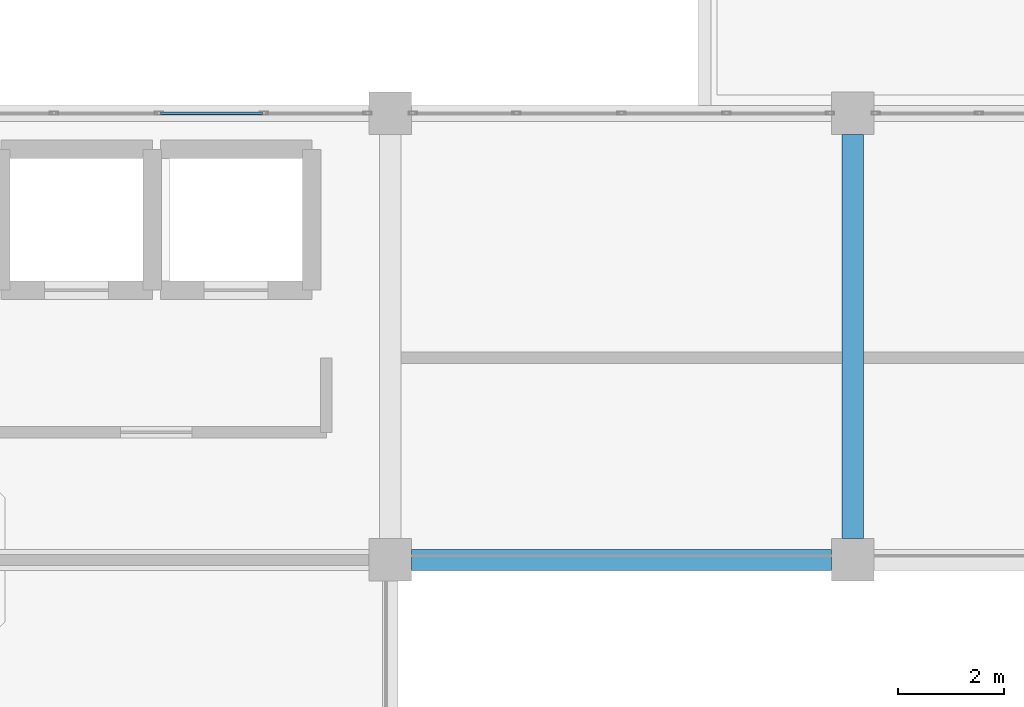
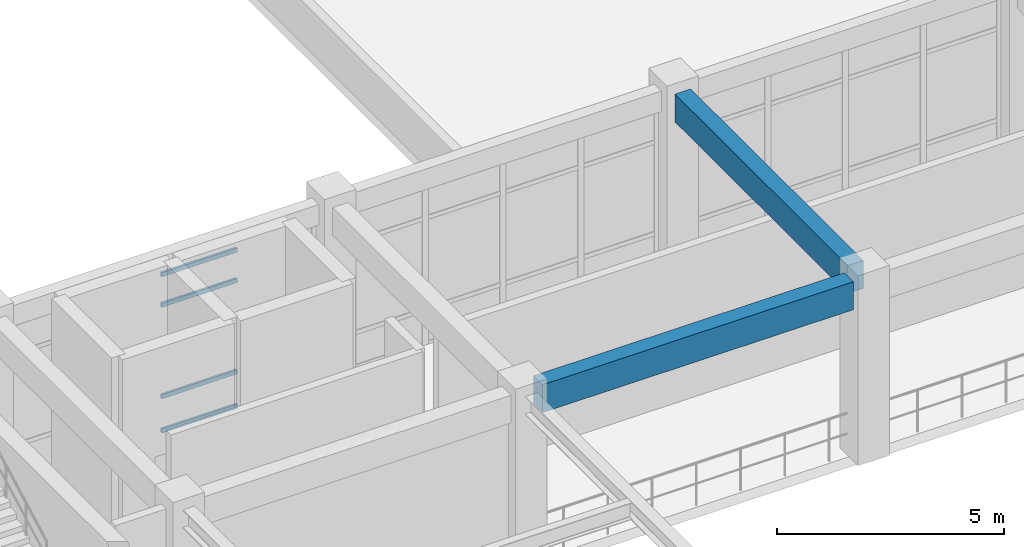
# One storey, part 48 of 124: 4 members, 2 beams, 1 element without a shape of its own.
"""IFC4 building model written with IfcOpenShell, lengths in metres."""

from ifc_helpers import new_model, si_unit, derived_unit, direction, frame, origin, origin_2d, place, context, subcontext, project, spatial, rectangle, hollow_rectangle, extrude, material, layer, layer_set, material_profile, profile_set, type_object, element, aggregate, save


model = new_model("IFC4")

# Units and contexts
model_context = context("Model", 3, precision=1e-05, world=origin(), true_north=direction((0.0, 1.0)))
body_context = subcontext(model_context, "Body", "Model", "MODEL_VIEW")
ifc_project = project(units=[si_unit("LENGTHUNIT", "METRE"), si_unit("AREAUNIT", "SQUARE_METRE"), si_unit("VOLUMEUNIT", "CUBIC_METRE"), si_unit("PLANEANGLEUNIT", "RADIAN"), si_unit("MASSUNIT", "GRAM", prefix="KILO"), derived_unit("THERMALTRANSMITTANCEUNIT", [(si_unit("MASSUNIT", "GRAM", prefix="KILO"), 1), (si_unit("TIMEUNIT", "SECOND"), -3), (si_unit("THERMODYNAMICTEMPERATUREUNIT", "KELVIN"), -1)])], contexts=[model_context])

# Site, building, storey
site_placement = place(None, origin())
site = spatial("IfcSite", under=ifc_project, at=site_placement, CompositionType="ELEMENT")
building_placement = place(site_placement, origin())
building = spatial("IfcBuilding", under=site, at=building_placement, Name="Qinzheling Arcade Emporium", CompositionType="ELEMENT")
storey_placement = place(building_placement, frame((0.0, 0.0, 16.5)))
storey = spatial("IfcBuildingStorey", under=building, at=storey_placement, Name="L04", CompositionType="ELEMENT", Elevation=16.5)

# Curtain wall, members
ifc_material_1 = material(Name="Anodised aluminium and solar-control double glazing", Category="aluminium")
ifc_layer = layer(ifc_material_1, 0.159912109375, Name="Anodised aluminium and solar-control double glazing", Category="aluminium")
ifc_layer_set = layer_set([ifc_layer], Name="Anodised aluminium and solar-control double glazing")
curtain_wall_type = type_object("IfcCurtainWallType", Name="Atrium Clerestory Curtain Wall", PredefinedType="NOTDEFINED", material=ifc_layer_set)
curtain_wall_placement = place(storey_placement, origin())
curtain_wall = element("IfcCurtainWall", 1, at=curtain_wall_placement, inside=storey, type_object=curtain_wall_type, Name="Curtain Wall CW-L04-243", PredefinedType="NOTDEFINED")
ifc_material_2 = material(Name="Anodised aluminium 6063-T6", Category="aluminium")
ifc_material_profile_1 = material_profile(ifc_material_2, hollow_rectangle(XDim=0.06005859375, YDim=0.1201171875, WallThickness=0.00390625, InnerFilletRadius=0.00390625, OuterFilletRadius=0.008056640625, at=origin_2d()), Name="RHS 120x60x4", Category="aluminium")
ifc_profile_set_1 = profile_set([ifc_material_profile_1], Name="Anodised aluminium 6063-T6")
member_type = type_object("IfcMemberType", Name="Curtain Wall Transom RHS120x60", PredefinedType="USERDEFINED", material=ifc_profile_set_1)
member_1_placement = place(storey_placement, frame((47.8798828125, 73.800048828125, 0.030029296875), z_axis=(1.0, 0.0, 0.0), x_axis=(0.0, 1.0, 0.0)))
member_1 = element("IfcMember", 2, at=member_1_placement, type_object=member_type, Name="CW03 transom 3.1", ObjectType="TRANSOM", PredefinedType="USERDEFINED", context=body_context, shape_type="SweptSolid", body=[
    extrude(hollow_rectangle(XDim=0.06005859375, YDim=0.1201171875, WallThickness=0.00390625, InnerFilletRadius=0.00390625, OuterFilletRadius=0.008056640625, at=origin_2d()), origin(), (0.0, 0.0, 1.0), 1.9140625),
])
member_2_placement = place(storey_placement, frame((47.8798828125, 73.800048828125, 0.949951171875), z_axis=(1.0, 0.0, 0.0), x_axis=(0.0, 1.0, 0.0)))
member_2 = element("IfcMember", 3, at=member_2_placement, type_object=member_type, Name="CW03 transom 3.2", ObjectType="TRANSOM", PredefinedType="USERDEFINED", context=body_context, shape_type="SweptSolid", body=[
    extrude(hollow_rectangle(XDim=0.06005859375, YDim=0.1201171875, WallThickness=0.00390625, InnerFilletRadius=0.00390625, OuterFilletRadius=0.008056640625, at=origin_2d()), origin(), (0.0, 0.0, 1.0), 1.9140625),
])
member_3_placement = place(storey_placement, frame((47.8798828125, 73.800048828125, 3.405029296875), z_axis=(1.0, 0.0, 0.0), x_axis=(0.0, 1.0, 0.0)))
member_3 = element("IfcMember", 4, at=member_3_placement, type_object=member_type, Name="CW03 transom 3.3", ObjectType="TRANSOM", PredefinedType="USERDEFINED", context=body_context, shape_type="SweptSolid", body=[
    extrude(hollow_rectangle(XDim=0.06005859375, YDim=0.1201171875, WallThickness=0.00390625, InnerFilletRadius=0.00390625, OuterFilletRadius=0.008056640625, at=origin_2d()), origin(), (0.0, 0.0, 1.0), 1.9140625),
])
member_4_placement = place(storey_placement, frame((47.8798828125, 73.800048828125, 4.22509765625), z_axis=(1.0, 0.0, 0.0), x_axis=(0.0, 1.0, 0.0)))
member_4 = element("IfcMember", 5, at=member_4_placement, type_object=member_type, Name="CW03 transom 3.4", ObjectType="TRANSOM", PredefinedType="USERDEFINED", context=body_context, shape_type="SweptSolid", body=[
    extrude(hollow_rectangle(XDim=0.06005859375, YDim=0.1201171875, WallThickness=0.00390625, InnerFilletRadius=0.00390625, OuterFilletRadius=0.008056640625, at=origin_2d()), origin(), (0.0, 0.0, 1.0), 1.9140625),
])
aggregate(curtain_wall, [member_1, member_2, member_3, member_4])

# Beams
ifc_material_3 = material(Name="Concrete C40", Category="concrete")
ifc_material_profile_2 = material_profile(ifc_material_3, rectangle(XDim=0.39990234375, YDim=0.75, at=origin_2d()), Name="RC 400x750", Category="concrete")
ifc_profile_set_2 = profile_set([ifc_material_profile_2], Name="Concrete C40")
beam_type = type_object("IfcBeamType", Name="RC Interior Tie Beam 400x750 C40", PredefinedType="BEAM", material=ifc_profile_set_2)
beam_1_placement = place(storey_placement, frame((52.60009765625, 65.39990234375, 4.445068359375), z_axis=(1.0, 0.0, 0.0), x_axis=(0.0, 1.0, 0.0)))
element("IfcBeam", 6, at=beam_1_placement, inside=storey, type_object=beam_type, Name="Beam BM-L04-X-H-7", PredefinedType="BEAM", context=body_context, shape_type="SweptSolid", body=[
    extrude(rectangle(XDim=0.39990234375, YDim=0.75, at=origin_2d()), origin(), (0.0, 0.0, 1.0), 7.89990234375),
])
beam_2_placement = place(storey_placement, frame((60.89990234375, 65.800048828125, 4.445068359375), z_axis=(0.0, 1.0, 0.0), x_axis=(-1.0, 0.0, 0.0)))
element("IfcBeam", 7, at=beam_2_placement, inside=storey, type_object=beam_type, Name="Beam BM-L04-Y-8-H", PredefinedType="BEAM", context=body_context, shape_type="SweptSolid", body=[
    extrude(rectangle(XDim=0.39990234375, YDim=0.75, at=origin_2d()), origin(), (0.0, 0.0, 1.0), 7.599853515625),
])

save(model, "model.ifc")
